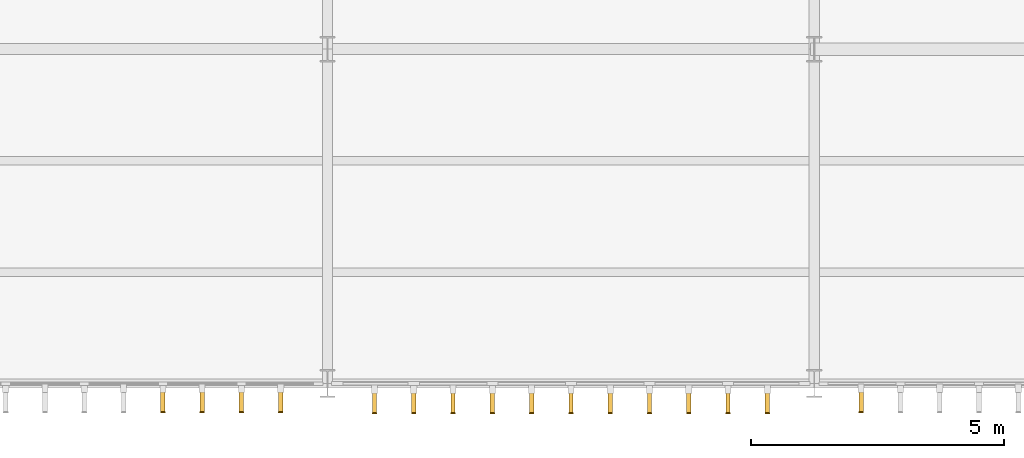
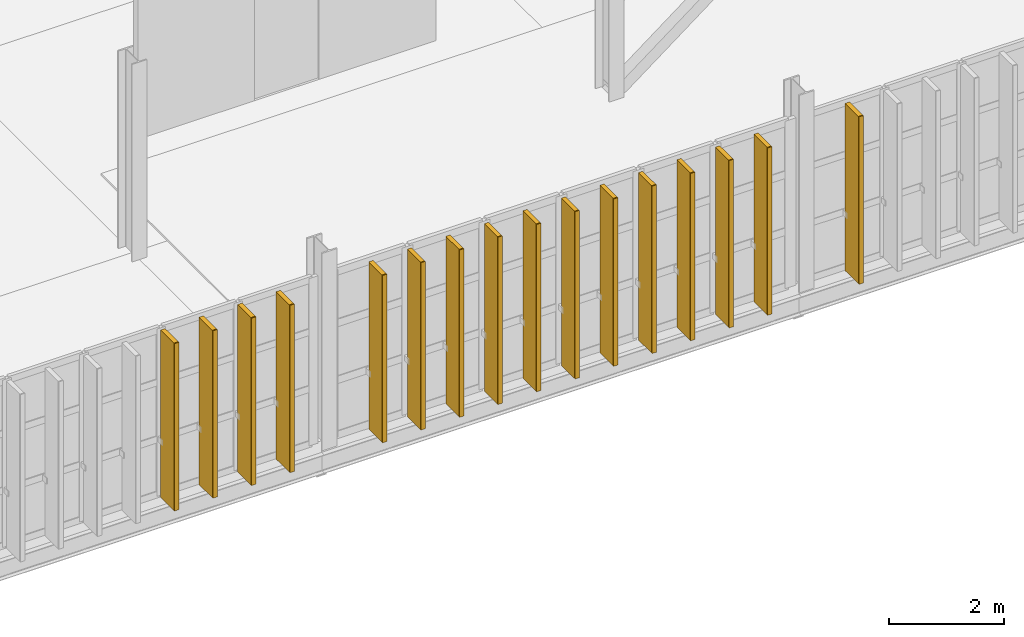
# One storey, part 41 of 52: 16 coverings, 16 shading devices.
"""IFC4 building model written with IfcOpenShell, lengths in metres."""

from ifc_helpers import new_model, si_unit, direction, frame, origin, origin_2d, place, context, subcontext, project, spatial, rectangle, extrude, material, layer, layer_set, type_object, element, save


model = new_model("IFC4")

# Units and contexts
model_context = context("Model", 3, precision=1e-05, world=origin(), true_north=direction((0.0, 1.0)))
body_context = subcontext(model_context, "Body", "Model", "MODEL_VIEW")
ifc_project = project(units=[si_unit("LENGTHUNIT", "METRE"), si_unit("AREAUNIT", "SQUARE_METRE"), si_unit("VOLUMEUNIT", "CUBIC_METRE"), si_unit("PLANEANGLEUNIT", "RADIAN"), si_unit("MASSUNIT", "GRAM", prefix="KILO")], contexts=[model_context])

# Site, building, storey
site_placement = place(None, origin())
site = spatial("IfcSite", under=ifc_project, at=site_placement, CompositionType="ELEMENT")
building_placement = place(site_placement, origin())
building = spatial("IfcBuilding", under=site, at=building_placement, Name="Zarnetskaya Central Station", CompositionType="ELEMENT")
storey_placement = place(building_placement, frame((0.0, 0.0, 14.39990234375)))
storey = spatial("IfcBuildingStorey", under=building, at=storey_placement, Name="L03", CompositionType="ELEMENT", Elevation=14.39990234375)

# Coverings
ifc_material_1 = material(Name="Treated larch timber", Category="wood")
ifc_layer = layer(ifc_material_1, 0.02001953125, Name="Treated larch timber", Category="wood")
ifc_layer_set = layer_set([ifc_layer], Name="Treated larch timber")
covering_type = type_object("IfcCoveringType", Name="COV-LARCH-CAP", PredefinedType="CLADDING", material=ifc_layer_set)
covering_placement = place(storey_placement, frame((29.72509765625, -0.56005859375, 0.0), z_axis=(0.0, 0.0, 1.0), x_axis=(-1.0, 0.0, 0.0)))
element("IfcCovering", 1, at=covering_placement, inside=storey, type_object=covering_type, Name="Larch fin weather cap CW-L03-043-11", PredefinedType="CLADDING", context=body_context, shape_type="SweptSolid", body=[
    extrude(rectangle(XDim=0.090087890625, YDim=0.02001953125, at=origin_2d()), origin(), (0.0, 0.0, 1.0), 3.56005859375),
])
for number, where, z_axis, x_axis, name in (
    (2, (27.875, -0.580078125, 0.0), (0.0, 0.0, 1.0), (-1.0, 0.0, 0.0), "Larch fin weather cap CW-L03-044-01"),
    (3, (27.10009765625, -0.580078125, 0.0), (0.0, 0.0, 1.0), (-1.0, 0.0, 0.0), "Larch fin weather cap CW-L03-044-02"),
    (4, (26.324951171875, -0.580078125, 0.0), (0.0, 0.0, 1.0), (-1.0, 0.0, 0.0), "Larch fin weather cap CW-L03-044-03"),
    (5, (25.550048828125, -0.580078125, 0.0), (0.0, 0.0, 1.0), (-1.0, 0.0, 0.0), "Larch fin weather cap CW-L03-044-04"),
    (6, (24.77490234375, -0.580078125, 0.0), (0.0, 0.0, 1.0), (-1.0, 0.0, 0.0), "Larch fin weather cap CW-L03-044-05"),
    (7, (24.0, -0.580078125, 0.0), (0.0, 0.0, 1.0), (-1.0, 0.0, 0.0), "Larch fin weather cap CW-L03-044-06"),
    (8, (23.22509765625, -0.580078125, 0.0), (0.0, 0.0, 1.0), (-1.0, 0.0, 0.0), "Larch fin weather cap CW-L03-044-07"),
    (9, (22.449951171875, -0.580078125, 0.0), (0.0, 0.0, 1.0), (-1.0, 0.0, 0.0), "Larch fin weather cap CW-L03-044-08"),
    (10, (21.675048828125, -0.580078125, 0.0), (0.0, 0.0, 1.0), (-1.0, 0.0, 0.0), "Larch fin weather cap CW-L03-044-09"),
    (11, (20.89990234375, -0.580078125, 0.0), (0.0, 0.0, 1.0), (-1.0, 0.0, 0.0), "Larch fin weather cap CW-L03-044-10"),
    (12, (20.125, -0.580078125, 0.0), (0.0, 0.0, 1.0), (-1.0, 0.0, 0.0), "Larch fin weather cap CW-L03-044-11"),
):
    element("IfcCovering", number, at=place(storey_placement, frame(where, z_axis=z_axis, x_axis=x_axis)), inside=storey, type_object=covering_type, Name=name, PredefinedType="CLADDING", context=body_context, shape_type="SweptSolid", body=[
        extrude(rectangle(XDim=0.0849609375, YDim=0.02001953125, at=origin_2d()), origin(), (0.0, 0.0, 1.0), 3.56005859375),
    ])
for number, where, z_axis, x_axis, name in (
    (13, (18.27490234375, -0.56005859375, 0.0), (0.0, 0.0, 1.0), (-1.0, 0.0, 0.0), "Larch fin weather cap CW-L03-045-01"),
    (14, (17.5, -0.56005859375, 0.0), (0.0, 0.0, 1.0), (-1.0, 0.0, 0.0), "Larch fin weather cap CW-L03-045-02"),
    (15, (16.72509765625, -0.56005859375, 0.0), (0.0, 0.0, 1.0), (-1.0, 0.0, 0.0), "Larch fin weather cap CW-L03-045-03"),
    (16, (15.949951171875, -0.56005859375, 0.0), (0.0, 0.0, 1.0), (-1.0, 0.0, 0.0), "Larch fin weather cap CW-L03-045-04"),
):
    element("IfcCovering", number, at=place(storey_placement, frame(where, z_axis=z_axis, x_axis=x_axis)), inside=storey, type_object=covering_type, Name=name, PredefinedType="CLADDING", context=body_context, shape_type="SweptSolid", body=[
        extrude(rectangle(XDim=0.090087890625, YDim=0.02001953125, at=origin_2d()), origin(), (0.0, 0.0, 1.0), 3.56005859375),
    ])

# Shading devices
ifc_material_2 = material(Name="Larch glulam GL28h", Category="wood")
shading_device_type_1 = type_object("IfcShadingDeviceType", Name="SHD-LARCH-FIN-A", PredefinedType="USERDEFINED", material=ifc_material_2)
for number, where, z_axis, x_axis, name in (
    (17, (29.72509765625, -0.320068359375, 0.0), (0.0, 0.0, 1.0), (-1.0, 0.0, 0.0), "Vertical larch timber fin CW-L03-043-11"),
    (18, (18.27490234375, -0.320068359375, 0.0), (0.0, 0.0, 1.0), (-1.0, 0.0, 0.0), "Vertical larch timber fin CW-L03-045-01"),
    (19, (17.5, -0.320068359375, 0.0), (0.0, 0.0, 1.0), (-1.0, 0.0, 0.0), "Vertical larch timber fin CW-L03-045-02"),
    (20, (16.72509765625, -0.320068359375, 0.0), (0.0, 0.0, 1.0), (-1.0, 0.0, 0.0), "Vertical larch timber fin CW-L03-045-03"),
    (21, (15.949951171875, -0.320068359375, 0.0), (0.0, 0.0, 1.0), (-1.0, 0.0, 0.0), "Vertical larch timber fin CW-L03-045-04"),
):
    element("IfcShadingDevice", number, at=place(storey_placement, frame(where, z_axis=z_axis, x_axis=x_axis)), inside=storey, type_object=shading_device_type_1, Name=name, ObjectType="TIMBER FIN", PredefinedType="USERDEFINED", context=body_context, shape_type="SweptSolid", body=[
        extrude(rectangle(XDim=0.090087890625, YDim=0.4599609375, at=origin_2d()), origin(), (0.0, 0.0, 1.0), 3.56005859375),
    ])
shading_device_type_2 = type_object("IfcShadingDeviceType", Name="SHD-LARCH-FIN-B", PredefinedType="USERDEFINED", material=ifc_material_2)
for number, where, z_axis, x_axis, name in (
    (22, (27.875, -0.340087890625, 0.0), (0.0, 0.0, 1.0), (-1.0, 0.0, 0.0), "Vertical larch timber fin CW-L03-044-01"),
    (23, (27.10009765625, -0.340087890625, 0.0), (0.0, 0.0, 1.0), (-1.0, 0.0, 0.0), "Vertical larch timber fin CW-L03-044-02"),
    (24, (26.324951171875, -0.340087890625, 0.0), (0.0, 0.0, 1.0), (-1.0, 0.0, 0.0), "Vertical larch timber fin CW-L03-044-03"),
    (25, (25.550048828125, -0.340087890625, 0.0), (0.0, 0.0, 1.0), (-1.0, 0.0, 0.0), "Vertical larch timber fin CW-L03-044-04"),
    (26, (24.77490234375, -0.340087890625, 0.0), (0.0, 0.0, 1.0), (-1.0, 0.0, 0.0), "Vertical larch timber fin CW-L03-044-05"),
    (27, (24.0, -0.340087890625, 0.0), (0.0, 0.0, 1.0), (-1.0, 0.0, 0.0), "Vertical larch timber fin CW-L03-044-06"),
    (28, (23.22509765625, -0.340087890625, 0.0), (0.0, 0.0, 1.0), (-1.0, 0.0, 0.0), "Vertical larch timber fin CW-L03-044-07"),
    (29, (22.449951171875, -0.340087890625, 0.0), (0.0, 0.0, 1.0), (-1.0, 0.0, 0.0), "Vertical larch timber fin CW-L03-044-08"),
    (30, (21.675048828125, -0.340087890625, 0.0), (0.0, 0.0, 1.0), (-1.0, 0.0, 0.0), "Vertical larch timber fin CW-L03-044-09"),
    (31, (20.89990234375, -0.340087890625, 0.0), (0.0, 0.0, 1.0), (-1.0, 0.0, 0.0), "Vertical larch timber fin CW-L03-044-10"),
    (32, (20.125, -0.340087890625, 0.0), (0.0, 0.0, 1.0), (-1.0, 0.0, 0.0), "Vertical larch timber fin CW-L03-044-11"),
):
    element("IfcShadingDevice", number, at=place(storey_placement, frame(where, z_axis=z_axis, x_axis=x_axis)), inside=storey, type_object=shading_device_type_2, Name=name, ObjectType="TIMBER FIN", PredefinedType="USERDEFINED", context=body_context, shape_type="SweptSolid", body=[
        extrude(rectangle(XDim=0.0849609375, YDim=0.4599609375, at=origin_2d()), origin(), (0.0, 0.0, 1.0), 3.56005859375),
    ])

save(model, "model.ifc")
